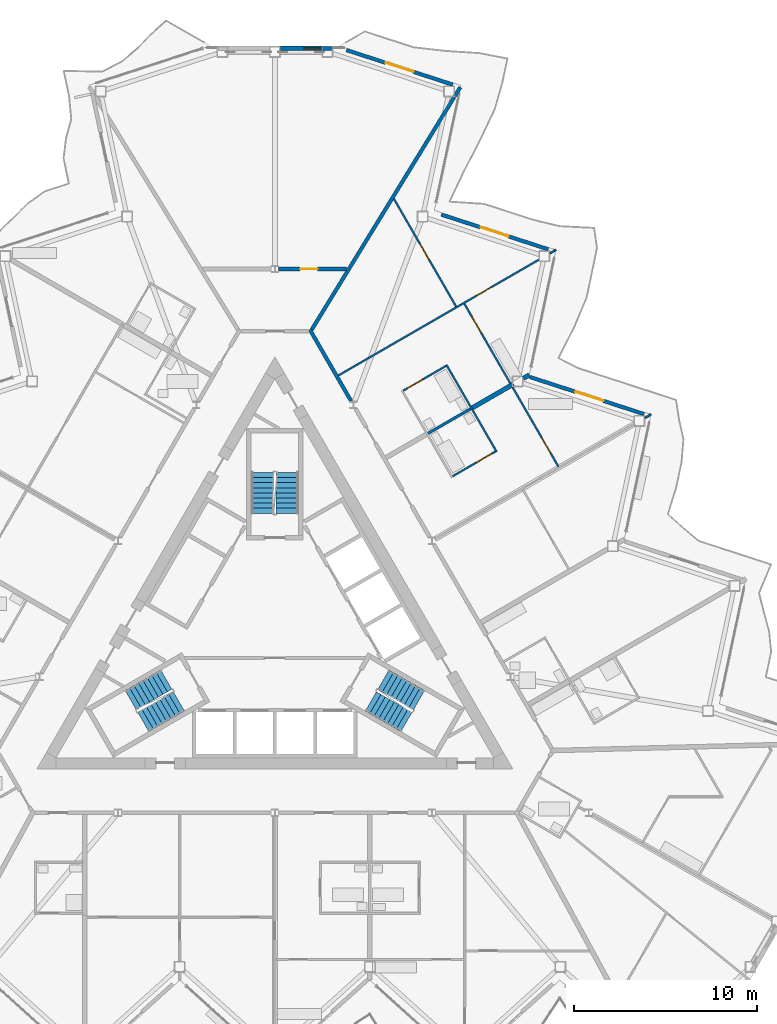
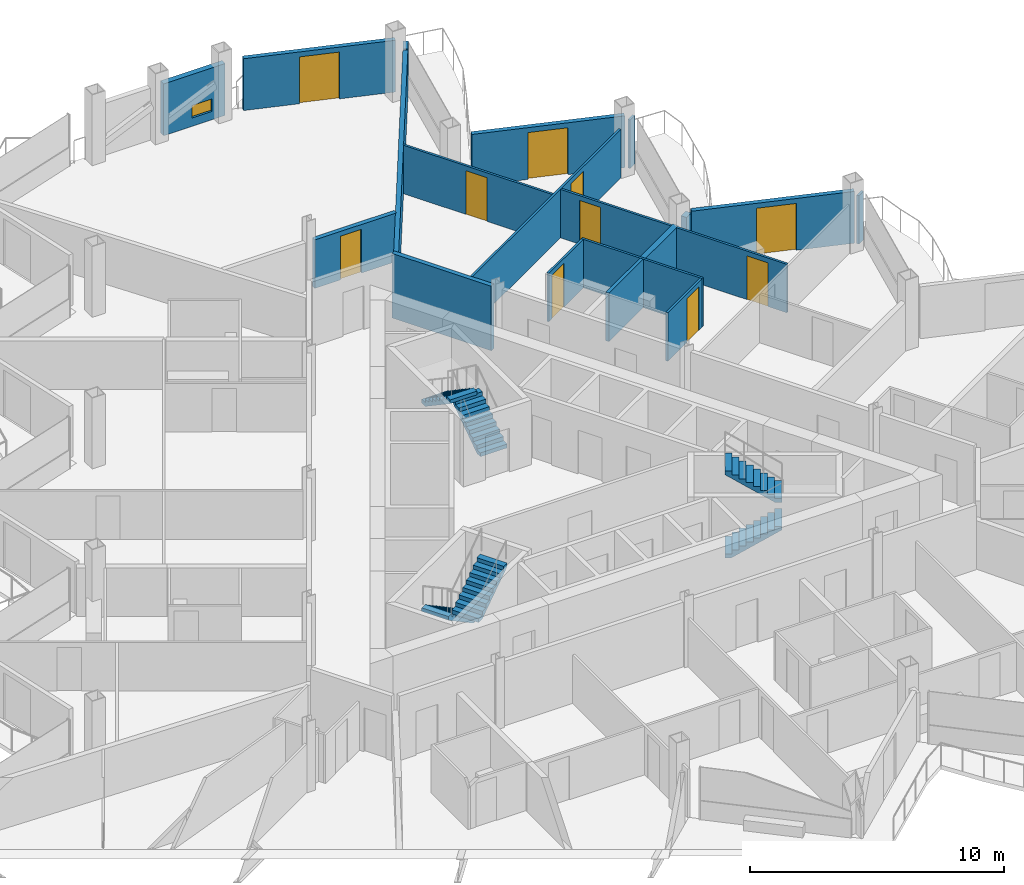
# One storey, part 19 of 28: 20 walls, 10 doors, 6 stair flights, 1 window, 11 openings, 3 elements without a shape of their own.
"""IFC4 building model written with IfcOpenShell, lengths in metres."""

from ifc_helpers import new_model, si_unit, direction, frame, frame_2d, origin, place, context, subcontext, project, spatial, polyline, rectangle, outline, extrude, material, layer, layer_set, type_object, element, fill, aggregate, save


model = new_model("IFC4")

# Units and contexts
model_context = context("Model", 3, precision=1e-05, world=origin(), true_north=direction((0.0, 1.0)))
body_context = subcontext(model_context, "Body", "Model", "MODEL_VIEW")
ifc_project = project(units=[si_unit("LENGTHUNIT", "METRE"), si_unit("AREAUNIT", "SQUARE_METRE"), si_unit("VOLUMEUNIT", "CUBIC_METRE"), si_unit("PLANEANGLEUNIT", "RADIAN"), si_unit("MASSUNIT", "GRAM", prefix="KILO")], contexts=[model_context])

# Site, building, storey
site_placement = place(None, origin())
site = spatial("IfcSite", under=ifc_project, at=site_placement, CompositionType="ELEMENT")
building_placement = place(site_placement, origin())
building = spatial("IfcBuilding", under=site, at=building_placement, Name="Cormorant Prow Tower", CompositionType="ELEMENT")
storey_placement = place(building_placement, frame((0.0, 0.0, 305.199951171875)))
storey = spatial("IfcBuildingStorey", under=building, at=storey_placement, Name="L66", CompositionType="ELEMENT", Elevation=305.199951171875)

# Walls
ifc_material_1 = material(Name="Gypsum board corridor wall")
ifc_layer_1 = layer(ifc_material_1, 0.199951171875)
ifc_layer_set_1 = layer_set([ifc_layer_1], Name="Gypsum board corridor wall")
wall_type_1 = type_object("IfcWallType", Name="Corridor wall 200", PredefinedType="PARTITIONING", material=ifc_layer_set_1)
wall_1_placement = place(storey_placement, frame((1.9130859375, 16.497802734375, 0.0), z_axis=(0.0, 0.0, 1.0), x_axis=(0.499950370306, -0.866054055606, 0.0)))
element("IfcWall", 1, at=wall_1_placement, inside=storey, type_object=wall_type_1, Name="Corridor wall", PredefinedType="PARTITIONING", context=body_context, shape_type="SweptSolid", body=[
    extrude(rectangle(XDim=4.5126953125, YDim=0.199951171875, at=frame_2d((2.25634765625, 0.0))), origin(), (0.0, 0.0, 1.0), 3.10009765625),
])
ifc_material_2 = material(Name="Gypsum board demising wall")
ifc_layer_2 = layer(ifc_material_2, 0.199951171875)
ifc_layer_set_2 = layer_set([ifc_layer_2], Name="Gypsum board demising wall")
wall_type_2 = type_object("IfcWallType", Name="Demising wall 200", PredefinedType="PARTITIONING", material=ifc_layer_set_2)
wall_2_placement = place(storey_placement, frame((2.015380859375, 16.496337890625, 0.0), z_axis=(0.0, 0.0, 1.0), x_axis=(0.522487920222, 0.852646687217, 0.0)))
element("IfcWall", 2, at=wall_2_placement, inside=storey, type_object=wall_type_2, Name="Demising wall", PredefinedType="PARTITIONING", context=body_context, shape_type="SweptSolid", body=[
    extrude(rectangle(XDim=14.90380859375, YDim=0.199951171875, at=frame_2d((7.451904296875, 0.0))), origin(), (0.0, 0.0, 1.0), 2.330078125),
])

# Wall, opening, door
wall_3_placement = place(storey_placement, frame((0.207763671875, 19.81103515625, 0.0), z_axis=(0.0, 0.0, 1.0), x_axis=(1.0, 0.0, 0.0)))
wall_3 = element("IfcWall", 3, at=wall_3_placement, inside=storey, type_object=wall_type_2, Name="Demising wall", PredefinedType="PARTITIONING", context=body_context, shape_type="SweptSolid", body=[
    extrude(rectangle(XDim=3.71826171875, YDim=0.199951171875, at=frame_2d((1.859130859375, 0.0))), origin(), (0.0, 0.0, 1.0), 2.330078125),
])
opening_1_placement = place(wall_3_placement, frame((1.177978515625, 0.0, 0.0)))
opening_1 = element("IfcOpeningElement", 4, at=opening_1_placement, cuts=wall_3, Name="Opening L66-F37", PredefinedType="OPENING", context=body_context, shape_type="SweptSolid", body=[
    extrude(rectangle(XDim=0.949951171875, YDim=2.10009765625, at=frame_2d((0.47509765625, 1.050048828125))), frame((0.0, 0.10986328125, 0.0), z_axis=(0.0, -1.0, 0.0), x_axis=(1.0, 0.0, 0.0)), (0.0, 0.0, 1.0), 0.219970703125),
])
ifc_material_3 = material(Name="Timber door leaf", Category="wood")
door_type_1 = type_object("IfcDoorType", Name="Store door 950x2100", OperationType="NOTDEFINED", PredefinedType="DOOR", material=ifc_material_3)
door_1_placement = place(opening_1_placement, origin())
door_1 = element("IfcDoor", 5, at=door_1_placement, inside=storey, type_object=door_type_1, Name="Refuse room door", OperationType="SINGLE_SWING_LEFT", OverallHeight=2.10009765625, OverallWidth=0.949951171875, PredefinedType="DOOR", context=body_context, shape_type="SweptSolid", body=[
    extrude(rectangle(XDim=0.949951171875, YDim=2.10009765625, at=frame_2d((0.47509765625, 1.050048828125))), frame((0.0, 0.02490234375, 0.0), z_axis=(0.0, -1.0, 0.0), x_axis=(1.0, 0.0, 0.0)), (0.0, 0.0, 1.0), 0.050048828125),
])
fill(opening_1, door_1)

# Wall
wall_4_placement = place(storey_placement, frame((9.83740234375, 29.261474609375, 0.0), z_axis=(0.0, 0.0, 1.0), x_axis=(0.5225115935, 0.852632180168, 0.0)))
element("IfcWall", 6, at=wall_4_placement, inside=storey, type_object=wall_type_2, Name="Demising wall", PredefinedType="PARTITIONING", context=body_context, shape_type="SweptSolid", body=[
    extrude(rectangle(XDim=0.567138671875, YDim=0.199951171875, at=frame_2d((0.28369140625, 0.0))), origin(), (0.0, 0.0, 1.0), 2.330078125),
])

# Wall, opening, door
ifc_material_4 = material(Name="Gypsum board partition")
ifc_layer_3 = layer(ifc_material_4, 0.10009765625)
ifc_layer_set_3 = layer_set([ifc_layer_3], Name="Gypsum board partition")
wall_type_3 = type_object("IfcWallType", Name="Internal partition 100", PredefinedType="PARTITIONING", material=ifc_layer_set_3)
wall_5_placement = place(storey_placement, frame((3.47412109375, 13.993896484375, 0.0), z_axis=(0.0, 0.0, 1.0), x_axis=(0.866032424046, 0.499987840353, 0.0)))
wall_5 = element("IfcWall", 7, at=wall_5_placement, inside=storey, type_object=wall_type_3, Name="Internal partition", PredefinedType="PARTITIONING", context=body_context, shape_type="SweptSolid", body=[
    extrude(rectangle(XDim=12.635009765625, YDim=0.10009765625, at=frame_2d((6.3173828125, 0.0))), origin(), (0.0, 0.0, 1.0), 2.330078125),
])
opening_2_placement = place(wall_5_placement, frame((8.71435546875, 0.0, 0.0)))
opening_2 = element("IfcOpeningElement", 8, at=opening_2_placement, cuts=wall_5, Name="Opening L66-F34", PredefinedType="OPENING", context=body_context, shape_type="SweptSolid", body=[
    extrude(rectangle(XDim=0.949951171875, YDim=2.10009765625, at=frame_2d((0.47509765625, 1.050048828125))), frame((0.0, 0.06005859375, 0.0), z_axis=(0.0, -1.0, 0.0), x_axis=(1.0, 0.0, 0.0)), (0.0, 0.0, 1.0), 0.1201171875),
])
ifc_material_5 = material(Name="Timber door leaf", Category="wood")
door_type_2 = type_object("IfcDoorType", Name="Bathroom door 950x2100", OperationType="NOTDEFINED", PredefinedType="DOOR", material=ifc_material_5)
door_2_placement = place(opening_2_placement, origin())
door_2 = element("IfcDoor", 9, at=door_2_placement, inside=storey, type_object=door_type_2, Name="Kitchen door", OperationType="SINGLE_SWING_LEFT", OverallHeight=2.10009765625, OverallWidth=0.949951171875, PredefinedType="DOOR", context=body_context, shape_type="SweptSolid", body=[
    extrude(rectangle(XDim=0.949951171875, YDim=2.10009765625, at=frame_2d((0.47509765625, 1.050048828125))), frame((0.0, 0.02490234375, 0.0), z_axis=(0.0, -1.0, 0.0), x_axis=(1.0, 0.0, 0.0)), (0.0, 0.0, 1.0), 0.050048828125),
])
fill(opening_2, door_2)

wall_6_placement = place(storey_placement, frame((6.5029296875, 23.651611328125, 0.0), z_axis=(0.0, 0.0, 1.0), x_axis=(0.50002393615, -0.866011583801, 0.0)))
wall_6 = element("IfcWall", 10, at=wall_6_placement, inside=storey, type_object=wall_type_3, Name="Internal partition", PredefinedType="PARTITIONING", context=body_context, shape_type="SweptSolid", body=[
    extrude(rectangle(XDim=6.799560546875, YDim=0.10009765625, at=frame_2d((3.39990234375, 0.0))), origin(), (0.0, 0.0, 1.0), 2.330078125),
])
opening_3_placement = place(wall_6_placement, frame((2.874267578125, 0.0, 0.0)))
opening_3 = element("IfcOpeningElement", 11, at=opening_3_placement, cuts=wall_6, Name="Opening L66-F35", PredefinedType="OPENING", context=body_context, shape_type="SweptSolid", body=[
    extrude(rectangle(XDim=0.949951171875, YDim=2.10009765625, at=frame_2d((0.47509765625, 1.050048828125))), frame((0.0, 0.06005859375, 0.0), z_axis=(0.0, -1.0, 0.0), x_axis=(1.0, 0.0, 0.0)), (0.0, 0.0, 1.0), 0.1201171875),
])
door_3_placement = place(opening_3_placement, origin())
door_3 = element("IfcDoor", 12, at=door_3_placement, inside=storey, type_object=door_type_2, Name="Bedroom door", OperationType="SINGLE_SWING_LEFT", OverallHeight=2.10009765625, OverallWidth=0.949951171875, PredefinedType="DOOR", context=body_context, shape_type="SweptSolid", body=[
    extrude(rectangle(XDim=0.949951171875, YDim=2.10009765625, at=frame_2d((0.47509765625, 1.050048828125))), frame((0.0, 0.02490234375, 0.0), z_axis=(0.0, -1.0, 0.0), x_axis=(1.0, 0.0, 0.0)), (0.0, 0.0, 1.0), 0.050048828125),
])
fill(opening_3, door_3)

# Wall
wall_7_placement = place(storey_placement, frame((9.37109375, 14.579833984375, 0.0), z_axis=(0.0, 0.0, 1.0), x_axis=(0.499996545922, -0.866027397988, 0.0)))
element("IfcWall", 13, at=wall_7_placement, inside=storey, type_object=wall_type_3, Name="Internal partition", PredefinedType="PARTITIONING", context=body_context, shape_type="SweptSolid", body=[
    extrude(rectangle(XDim=5.5, YDim=0.10009765625, at=frame_2d((2.75, 0.0))), origin(), (0.0, 0.0, 1.0), 2.330078125),
])

# Wall, opening, door
wall_8_placement = place(storey_placement, frame((10.35693359375, 17.909912109375, 0.0), z_axis=(0.0, 0.0, 1.0), x_axis=(0.50000754391, -0.866021048262, 0.0)))
wall_8 = element("IfcWall", 14, at=wall_8_placement, inside=storey, type_object=wall_type_3, Name="Internal partition", PredefinedType="PARTITIONING", context=body_context, shape_type="SweptSolid", body=[
    extrude(rectangle(XDim=5.01611328125, YDim=0.10009765625, at=frame_2d((2.508056640625, 0.0))), origin(), (0.0, 0.0, 1.0), 2.330078125),
])
opening_4_placement = place(wall_8_placement, frame((0.861328125, 0.0, 0.0)))
opening_4 = element("IfcOpeningElement", 15, at=opening_4_placement, cuts=wall_8, Name="Opening L66-F33", PredefinedType="OPENING", context=body_context, shape_type="SweptSolid", body=[
    extrude(rectangle(XDim=0.949951171875, YDim=2.10009765625, at=frame_2d((0.47509765625, 1.050048828125))), frame((0.0, 0.06005859375, 0.0), z_axis=(0.0, -1.0, 0.0), x_axis=(1.0, 0.0, 0.0)), (0.0, 0.0, 1.0), 0.1201171875),
])
door_4_placement = place(opening_4_placement, origin())
door_4 = element("IfcDoor", 16, at=door_4_placement, inside=storey, type_object=door_type_2, Name="Living room door", OperationType="SINGLE_SWING_LEFT", OverallHeight=2.10009765625, OverallWidth=0.949951171875, PredefinedType="DOOR", context=body_context, shape_type="SweptSolid", body=[
    extrude(rectangle(XDim=0.949951171875, YDim=2.10009765625, at=frame_2d((0.47509765625, 1.050048828125))), frame((0.0, 0.02490234375, 0.0), z_axis=(0.0, -1.0, 0.0), x_axis=(1.0, 0.0, 0.0)), (0.0, 0.0, 1.0), 0.050048828125),
])
fill(opening_4, door_4)

wall_9_placement = place(storey_placement, frame((12.986083984375, 13.35595703125, 0.0), z_axis=(0.0, 0.0, 1.0), x_axis=(0.500007128048, -0.866021288365, 0.0)))
wall_9 = element("IfcWall", 17, at=wall_9_placement, inside=storey, type_object=wall_type_3, Name="Internal partition", PredefinedType="PARTITIONING", context=body_context, shape_type="SweptSolid", body=[
    extrude(rectangle(XDim=5.0234375, YDim=0.10009765625, at=frame_2d((2.51171875, 0.0))), origin(), (0.0, 0.0, 1.0), 2.330078125),
])
opening_5_placement = place(wall_9_placement, frame((3.2109375, 0.0, 0.0)))
opening_5 = element("IfcOpeningElement", 18, at=opening_5_placement, cuts=wall_9, Name="Opening L66-F28", PredefinedType="OPENING", context=body_context, shape_type="SweptSolid", body=[
    extrude(rectangle(XDim=0.949951171875, YDim=2.10009765625, at=frame_2d((0.47509765625, 1.050048828125))), frame((0.0, 0.06005859375, 0.0), z_axis=(0.0, -1.0, 0.0), x_axis=(1.0, 0.0, 0.0)), (0.0, 0.0, 1.0), 0.1201171875),
])
door_5_placement = place(opening_5_placement, origin())
door_5 = element("IfcDoor", 19, at=door_5_placement, inside=storey, type_object=door_type_2, Name="Living room door", OperationType="SINGLE_SWING_RIGHT", OverallHeight=2.10009765625, OverallWidth=0.949951171875, PredefinedType="DOOR", context=body_context, shape_type="SweptSolid", body=[
    extrude(rectangle(XDim=0.949951171875, YDim=2.10009765625, at=frame_2d((0.47509765625, 1.050048828125))), frame((0.0, 0.02490234375, 0.0), z_axis=(0.0, -1.0, 0.0), x_axis=(1.0, 0.0, 0.0)), (0.0, 0.0, 1.0), 0.050048828125),
])
fill(opening_5, door_5)

wall_10_placement = place(storey_placement, frame((7.0146484375, 13.16162109375, 0.0), z_axis=(0.0, 0.0, 1.0), x_axis=(0.866036505625, 0.499980770555, 0.0)))
wall_10 = element("IfcWall", 20, at=wall_10_placement, inside=storey, type_object=wall_type_3, Name="Internal partition", PredefinedType="PARTITIONING", context=body_context, shape_type="SweptSolid", body=[
    extrude(rectangle(XDim=2.69970703125, YDim=0.10009765625, at=frame_2d((1.349853515625, 0.0))), origin(), (0.0, 0.0, 1.0), 2.330078125),
])
opening_6_placement = place(wall_10_placement, frame((0.25, 0.0, 0.0)))
opening_6 = element("IfcOpeningElement", 21, at=opening_6_placement, cuts=wall_10, Name="Opening L66-F32", PredefinedType="OPENING", context=body_context, shape_type="SweptSolid", body=[
    extrude(rectangle(XDim=0.949951171875, YDim=2.10009765625, at=frame_2d((0.47509765625, 1.050048828125))), frame((0.0, 0.06005859375, 0.0), z_axis=(0.0, -1.0, 0.0), x_axis=(1.0, 0.0, 0.0)), (0.0, 0.0, 1.0), 0.1201171875),
])
door_6_placement = place(opening_6_placement, origin())
door_6 = element("IfcDoor", 22, at=door_6_placement, inside=storey, type_object=door_type_2, Name="Living room door", OperationType="SINGLE_SWING_LEFT", OverallHeight=2.10009765625, OverallWidth=0.949951171875, PredefinedType="DOOR", context=body_context, shape_type="SweptSolid", body=[
    extrude(rectangle(XDim=0.949951171875, YDim=2.10009765625, at=frame_2d((0.47509765625, 1.050048828125))), frame((0.0, 0.02490234375, 0.0), z_axis=(0.0, -1.0, 0.0), x_axis=(1.0, 0.0, 0.0)), (0.0, 0.0, 1.0), 0.050048828125),
])
fill(opening_6, door_6)

wall_11_placement = place(storey_placement, frame((9.714599609375, 8.485107421875, 0.0), z_axis=(0.0, 0.0, 1.0), x_axis=(0.866036505625, 0.499980770555, 0.0)))
wall_11 = element("IfcWall", 23, at=wall_11_placement, inside=storey, type_object=wall_type_3, Name="Internal partition", PredefinedType="PARTITIONING", context=body_context, shape_type="SweptSolid", body=[
    extrude(rectangle(XDim=2.69970703125, YDim=0.10009765625, at=frame_2d((1.349853515625, 0.0))), origin(), (0.0, 0.0, 1.0), 2.330078125),
])
opening_7_placement = place(wall_11_placement, frame((1.5, 0.0, 0.0)))
opening_7 = element("IfcOpeningElement", 24, at=opening_7_placement, cuts=wall_11, Name="Opening L66-F27", PredefinedType="OPENING", context=body_context, shape_type="SweptSolid", body=[
    extrude(rectangle(XDim=0.949951171875, YDim=2.10009765625, at=frame_2d((0.47509765625, 1.050048828125))), frame((0.0, 0.06005859375, 0.0), z_axis=(0.0, -1.0, 0.0), x_axis=(1.0, 0.0, 0.0)), (0.0, 0.0, 1.0), 0.1201171875),
])
door_7_placement = place(opening_7_placement, origin())
door_7 = element("IfcDoor", 25, at=door_7_placement, inside=storey, type_object=door_type_2, Name="Living room door", OperationType="SINGLE_SWING_RIGHT", OverallHeight=2.10009765625, OverallWidth=0.949951171875, PredefinedType="DOOR", context=body_context, shape_type="SweptSolid", body=[
    extrude(rectangle(XDim=0.949951171875, YDim=2.10009765625, at=frame_2d((0.47509765625, 1.050048828125))), frame((0.0, 0.02490234375, 0.0), z_axis=(0.0, -1.0, 0.0), x_axis=(1.0, 0.0, 0.0)), (0.0, 0.0, 1.0), 0.050048828125),
])
fill(opening_7, door_7)

# Walls
wall_12_placement = place(storey_placement, frame((15.03662109375, 20.669189453125, 0.0), z_axis=(0.0, 0.0, 1.0), x_axis=(0.865770353626, 0.500441499861, 0.0)))
element("IfcWall", 26, at=wall_12_placement, inside=storey, type_object=wall_type_3, Name="Internal partition", PredefinedType="PARTITIONING", context=body_context, shape_type="SweptSolid", body=[
    extrude(rectangle(XDim=0.372314453125, YDim=0.10009765625, at=frame_2d((0.18603515625, 0.0))), origin(), (0.0, 0.0, 1.0), 2.330078125),
])
wall_13_placement = place(storey_placement, frame((20.235595703125, 11.68310546875, 0.0), z_axis=(0.0, 0.0, 1.0), x_axis=(0.866039913117, 0.499974868256, 0.0)))
element("IfcWall", 27, at=wall_13_placement, inside=storey, type_object=wall_type_3, Name="Internal partition", PredefinedType="PARTITIONING", context=body_context, shape_type="SweptSolid", body=[
    extrude(rectangle(XDim=0.36279296875, YDim=0.10009765625, at=frame_2d((0.181396484375, 0.0))), origin(), (0.0, 0.0, 1.0), 2.330078125),
])
ifc_material_6 = material(Name="Acoustic gypsum party wall")
ifc_layer_4 = layer(ifc_material_6, 0.25)
ifc_layer_set_4 = layer_set([ifc_layer_4], Name="Acoustic gypsum party wall")
wall_type_4 = type_object("IfcWallType", Name="Suite party wall 250", PredefinedType="PARTITIONING", material=ifc_layer_set_4)
wall_14_placement = place(storey_placement, frame((10.789306640625, 12.223388671875, 0.0), z_axis=(0.0, 0.0, 1.0), x_axis=(0.866033547976, 0.499985893582, 0.0)))
element("IfcWall", 28, at=wall_14_placement, inside=storey, type_object=wall_type_4, Name="Suite party wall", PredefinedType="PARTITIONING", context=body_context, shape_type="SweptSolid", body=[
    extrude(rectangle(XDim=2.59375, YDim=0.25, at=frame_2d((1.296875, 0.0))), origin(), (0.0, 0.0, 1.0), 2.330078125),
])
wall_15_placement = place(storey_placement, frame((13.58203125, 13.83544921875, 0.0), z_axis=(0.0, 0.0, 1.0), x_axis=(0.865827443207, 0.500342721131, 0.0)))
element("IfcWall", 29, at=wall_15_placement, inside=storey, type_object=wall_type_4, Name="Suite party wall", PredefinedType="PARTITIONING", context=body_context, shape_type="SweptSolid", body=[
    extrude(rectangle(XDim=0.374755859375, YDim=0.25, at=frame_2d((0.1875, 0.0))), origin(), (0.0, 0.0, 1.0), 2.330078125),
])

# Wall, opening, window
ifc_material_7 = material(Name="Terracotta", Category="masonry")
ifc_layer_5 = layer(ifc_material_7, 0.25)
ifc_layer_set_5 = layer_set([ifc_layer_5], Name="Terracotta")
wall_type_5 = type_object("IfcWallType", Name="Terracotta bay wall 250", PredefinedType="SOLIDWALL", material=ifc_layer_set_5)
wall_16_placement = place(storey_placement, frame((3.0908203125, 31.8798828125, 0.0), z_axis=(0.0, 0.0, 1.0), x_axis=(-1.0, 0.0, 0.0)))
wall_16 = element("IfcWall", 30, at=wall_16_placement, inside=storey, type_object=wall_type_5, Name="Terracotta bay wall N00", PredefinedType="SOLIDWALL", context=body_context, shape_type="SweptSolid", body=[
    extrude(rectangle(XDim=2.790771484375, YDim=0.25, at=frame_2d((1.3955078125, 0.0))), origin(), (0.0, 0.0, 1.0), 2.488037109375),
])
opening_8_placement = place(wall_16_placement, frame((0.60009765625, 0.0, 0.39990234375)))
opening_8 = element("IfcOpeningElement", 31, at=opening_8_placement, cuts=wall_16, Name="Opening WN7", PredefinedType="OPENING", context=body_context, shape_type="SweptSolid", body=[
    extrude(rectangle(XDim=0.89990234375, YDim=0.60009765625, at=frame_2d((0.449951171875, 0.300048828125))), frame((0.0, 0.135009765625, 0.0), z_axis=(0.0, -1.0, 0.0), x_axis=(1.0, 0.0, 0.0)), (0.0, 0.0, 1.0), 0.27001953125),
])
ifc_material_8 = material(Name="Aluminium 6063-T6", Category="aluminium")
window_type = type_object("IfcWindowType", Name="Corner bay window 900x600", PartitioningType="SINGLE_PANEL", PredefinedType="WINDOW", material=ifc_material_8)
window_placement = place(opening_8_placement, origin())
window = element("IfcWindow", 32, at=window_placement, inside=storey, type_object=window_type, Name="Corner bay window N00", OverallHeight=0.60009765625, OverallWidth=0.89990234375, PartitioningType="SINGLE_PANEL", PredefinedType="WINDOW", context=body_context, shape_type="SweptSolid", body=[
    extrude(rectangle(XDim=0.89990234375, YDim=0.60009765625, at=frame_2d((0.449951171875, 0.300048828125))), frame((0.0, 0.030029296875, 0.0), z_axis=(0.0, -1.0, 0.0), x_axis=(1.0, 0.0, 0.0)), (0.0, 0.0, 1.0), 0.06005859375),
])
fill(opening_8, window)

# Wall, opening, door
ifc_material_9 = material(Name="Terracotta", Category="masonry")
ifc_layer_6 = layer(ifc_material_9, 0.199951171875)
ifc_layer_set_6 = layer_set([ifc_layer_6], Name="Terracotta")
wall_type_6 = type_object("IfcWallType", Name="Terracotta jamb wall 200", PredefinedType="SOLIDWALL", material=ifc_layer_set_6)
wall_17_placement = place(storey_placement, frame((20.177978515625, 11.880126953125, 0.0), z_axis=(0.0, 0.0, 1.0), x_axis=(-0.951053245104, 0.309027061884, 0.0)))
wall_17 = element("IfcWall", 33, at=wall_17_placement, inside=storey, type_object=wall_type_6, Name="Terracotta jamb wall ENE05", PredefinedType="SOLIDWALL", context=body_context, shape_type="SweptSolid", body=[
    extrude(rectangle(XDim=6.548583984375, YDim=0.199951171875, at=frame_2d((3.2744140625, 0.0))), origin(), (0.0, 0.0, 1.0), 2.488037109375),
])
opening_9_placement = place(wall_17_placement, frame((2.333984375, 0.0, 0.0)))
opening_9 = element("IfcOpeningElement", 34, at=opening_9_placement, cuts=wall_17, Name="Opening ED66.08", PredefinedType="OPENING", context=body_context, shape_type="SweptSolid", body=[
    extrude(rectangle(XDim=1.60009765625, YDim=2.25, at=frame_2d((0.800048828125, 1.125))), frame((0.0, 0.10986328125, 0.0), z_axis=(0.0, -1.0, 0.0), x_axis=(1.0, 0.0, 0.0)), (0.0, 0.0, 1.0), 0.219970703125),
])
ifc_material_10 = material(Name="Aluminium 6063-T6", Category="aluminium")
door_type_3 = type_object("IfcDoorType", Name="Balcony door 1600x2250", OperationType="DOUBLE_DOOR_SINGLE_SWING", PredefinedType="DOOR", material=ifc_material_10)
door_8_placement = place(opening_9_placement, origin())
door_8 = element("IfcDoor", 35, at=door_8_placement, inside=storey, type_object=door_type_3, Name="Balcony door ENE05 ED66.08", OperationType="DOUBLE_DOOR_SINGLE_SWING", OverallHeight=2.25, OverallWidth=1.60009765625, PredefinedType="DOOR", context=body_context, shape_type="SweptSolid", body=[
    extrude(rectangle(XDim=1.60009765625, YDim=2.25, at=frame_2d((0.800048828125, 1.125))), frame((0.0, 0.02490234375, 0.0), z_axis=(0.0, -1.0, 0.0), x_axis=(1.0, 0.0, 0.0)), (0.0, 0.0, 1.0), 0.050048828125),
])
fill(opening_9, door_8)

wall_18_placement = place(storey_placement, frame((14.943603515625, 20.88525390625, 0.0), z_axis=(0.0, 0.0, 1.0), x_axis=(-0.951062668065, 0.308998060534, 0.0)))
wall_18 = element("IfcWall", 36, at=wall_18_placement, inside=storey, type_object=wall_type_6, Name="Terracotta jamb wall ENE07", PredefinedType="SOLIDWALL", context=body_context, shape_type="SweptSolid", body=[
    extrude(rectangle(XDim=6.14697265625, YDim=0.199951171875, at=frame_2d((3.073486328125, 0.0))), origin(), (0.0, 0.0, 1.0), 2.488037109375),
])
opening_10_placement = place(wall_18_placement, frame((2.288330078125, 0.0, 0.0)))
opening_10 = element("IfcOpeningElement", 37, at=opening_10_placement, cuts=wall_18, Name="Opening ED66.09", PredefinedType="OPENING", context=body_context, shape_type="SweptSolid", body=[
    extrude(rectangle(XDim=1.60009765625, YDim=2.25, at=frame_2d((0.800048828125, 1.125))), frame((0.0, 0.10986328125, 0.0), z_axis=(0.0, -1.0, 0.0), x_axis=(1.0, 0.0, 0.0)), (0.0, 0.0, 1.0), 0.219970703125),
])
door_9_placement = place(opening_10_placement, origin())
door_9 = element("IfcDoor", 38, at=door_9_placement, inside=storey, type_object=door_type_3, Name="Balcony door ENE07 ED66.09", OperationType="DOUBLE_DOOR_SINGLE_SWING", OverallHeight=2.25, OverallWidth=1.60009765625, PredefinedType="DOOR", context=body_context, shape_type="SweptSolid", body=[
    extrude(rectangle(XDim=1.60009765625, YDim=2.25, at=frame_2d((0.800048828125, 1.125))), frame((0.0, 0.02490234375, 0.0), z_axis=(0.0, -1.0, 0.0), x_axis=(1.0, 0.0, 0.0)), (0.0, 0.0, 1.0), 0.050048828125),
])
fill(opening_10, door_9)

wall_19_placement = place(storey_placement, frame((9.724365234375, 29.885498046875, 0.0), z_axis=(0.0, 0.0, 1.0), x_axis=(-0.951066325824, 0.30898680212, 0.0)))
wall_19 = element("IfcWall", 39, at=wall_19_placement, inside=storey, type_object=wall_type_6, Name="Terracotta jamb wall ENE09", PredefinedType="SOLIDWALL", context=body_context, shape_type="SweptSolid", body=[
    extrude(rectangle(XDim=6.1171875, YDim=0.199951171875, at=frame_2d((3.05859375, 0.0))), origin(), (0.0, 0.0, 1.0), 2.488037109375),
])
opening_11_placement = place(wall_19_placement, frame((2.258544921875, 0.0, 0.0)))
opening_11 = element("IfcOpeningElement", 40, at=opening_11_placement, cuts=wall_19, Name="Opening ED66.10", PredefinedType="OPENING", context=body_context, shape_type="SweptSolid", body=[
    extrude(rectangle(XDim=1.60009765625, YDim=2.25, at=frame_2d((0.800048828125, 1.125))), frame((0.0, 0.10986328125, 0.0), z_axis=(0.0, -1.0, 0.0), x_axis=(1.0, 0.0, 0.0)), (0.0, 0.0, 1.0), 0.219970703125),
])
door_10_placement = place(opening_11_placement, origin())
door_10 = element("IfcDoor", 41, at=door_10_placement, inside=storey, type_object=door_type_3, Name="Balcony door ENE09 ED66.10", OperationType="DOUBLE_DOOR_SINGLE_SWING", OverallHeight=2.25, OverallWidth=1.60009765625, PredefinedType="DOOR", context=body_context, shape_type="SweptSolid", body=[
    extrude(rectangle(XDim=1.60009765625, YDim=2.25, at=frame_2d((0.800048828125, 1.125))), frame((0.0, 0.02490234375, 0.0), z_axis=(0.0, -1.0, 0.0), x_axis=(1.0, 0.0, 0.0)), (0.0, 0.0, 1.0), 0.050048828125),
])
fill(opening_11, door_10)

# Wall
ifc_material_11 = material(Name="Plasterboard wet wall with pipe chase")
ifc_layer_7 = layer(ifc_material_11, 0.14990234375)
ifc_layer_set_7 = layer_set([ifc_layer_7], Name="Plasterboard wet wall with pipe chase")
wall_type_7 = type_object("IfcWallType", Name="Wet wall 150", PredefinedType="PLUMBINGWALL", material=ifc_layer_set_7)
wall_20_placement = place(storey_placement, frame((8.364501953125, 10.8232421875, 0.0), z_axis=(0.0, 0.0, 1.0), x_axis=(0.866019956843, 0.50000943426, 0.0)))
element("IfcWall", 42, at=wall_20_placement, inside=storey, type_object=wall_type_7, Name="Wet wall", PredefinedType="PLUMBINGWALL", context=body_context, shape_type="SweptSolid", body=[
    extrude(rectangle(XDim=2.7001953125, YDim=0.14990234375, at=frame_2d((1.35009765625, 0.0))), origin(), (0.0, 0.0, 1.0), 2.330078125),
])

# Stair, stair flights
ifc_material_12 = material(Name="Exit stair 18 risers")
stair_type = type_object("IfcStairType", Name="Exit stair 18 risers", PredefinedType="HALF_TURN_STAIR", material=ifc_material_12)
stair_1_placement = place(storey_placement, origin())
stair_1 = element("IfcStair", 43, at=stair_1_placement, inside=storey, type_object=stair_type, Name="L66 Exit stair ST1", PredefinedType="HALF_TURN_STAIR")
ifc_material_13 = material(Name="Concrete 5000 psi", Category="concrete")
stair_flight_type = type_object("IfcStairFlightType", Name="Stair flight 1219", PredefinedType="STRAIGHT", material=ifc_material_13)
stair_flight_1_placement = place(storey_placement, frame((-5.93310546875, -2.635009765625, 0.0), z_axis=(0.0, 0.0, 1.0), x_axis=(-0.866025403784, -0.5, 0.0)))
stair_flight_1 = element("IfcStairFlight", 44, at=stair_flight_1_placement, type_object=stair_flight_type, Name="ST1 flight 1", NumberOfRisers=9, NumberOfTreads=8, PredefinedType="STRAIGHT", RiserHeight=0.188888889, TreadLength=0.28, context=body_context, shape_type="SweptSolid", body=[
    extrude(outline(polyline([(0.0, 0.0), (0.0, 0.18896484375), (0.280029296875, 0.18896484375), (0.280029296875, 0.377685546875), (0.56005859375, 0.377685546875), (0.56005859375, 0.566650390625), (0.840087890625, 0.566650390625), (0.840087890625, 0.755615234375), (1.1201171875, 0.755615234375), (1.1201171875, 0.9443359375), (1.39990234375, 0.9443359375), (1.39990234375, 1.13330078125), (1.679931640625, 1.13330078125), (1.679931640625, 1.322265625), (1.9599609375, 1.322265625), (1.9599609375, 1.51123046875), (2.239990234375, 1.51123046875), (2.239990234375, 1.699951171875), (2.239990234375, 1.330322265625), (0.26806640625, 0.0), (0.0, 0.0)])), frame((0.0, 0.609375, 0.0), z_axis=(0.0, -1.0, 0.0), x_axis=(1.0, 0.0, 0.0)), (0.0, 0.0, 1.0), 1.218994140625),
])
stair_flight_2_placement = place(storey_placement, frame((-7.1884765625, -4.940673828125, 1.699951171875), z_axis=(0.0, 0.0, 1.0), x_axis=(0.866025403784, 0.5, 0.0)))
stair_flight_2 = element("IfcStairFlight", 45, at=stair_flight_2_placement, type_object=stair_flight_type, Name="ST1 flight 2", NumberOfRisers=9, NumberOfTreads=8, PredefinedType="STRAIGHT", RiserHeight=0.188888889, TreadLength=0.28, context=body_context, shape_type="SweptSolid", body=[
    extrude(outline(polyline([(0.0, 0.0), (0.0, 0.18896484375), (0.280029296875, 0.18896484375), (0.280029296875, 0.377685546875), (0.56005859375, 0.377685546875), (0.56005859375, 0.566650390625), (0.840087890625, 0.566650390625), (0.840087890625, 0.755615234375), (1.1201171875, 0.755615234375), (1.1201171875, 0.9443359375), (1.39990234375, 0.9443359375), (1.39990234375, 1.13330078125), (1.679931640625, 1.13330078125), (1.679931640625, 1.322265625), (1.9599609375, 1.322265625), (1.9599609375, 1.51123046875), (2.239990234375, 1.51123046875), (2.239990234375, 1.699951171875), (2.239990234375, 1.330322265625), (0.26806640625, 0.0), (0.0, 0.0)])), frame((0.0, 0.609375, 0.0), z_axis=(0.0, -1.0, 0.0), x_axis=(1.0, 0.0, 0.0)), (0.0, 0.0, 1.0), 1.218994140625),
])
aggregate(stair_1, [stair_flight_1, stair_flight_2])

stair_2_placement = place(storey_placement, origin())
stair_2 = element("IfcStair", 46, at=stair_2_placement, inside=storey, type_object=stair_type, Name="L66 Exit stair ST2", PredefinedType="HALF_TURN_STAIR")
stair_flight_3_placement = place(storey_placement, frame((5.24853515625, -3.82080078125, 0.0), z_axis=(0.0, 0.0, 1.0), x_axis=(0.866025403784, -0.5, 0.0)))
stair_flight_3 = element("IfcStairFlight", 47, at=stair_flight_3_placement, type_object=stair_flight_type, Name="ST2 flight 1", NumberOfRisers=9, NumberOfTreads=8, PredefinedType="STRAIGHT", RiserHeight=0.188888889, TreadLength=0.28, context=body_context, shape_type="SweptSolid", body=[
    extrude(outline(polyline([(0.0, 0.0), (0.0, 0.18896484375), (0.280029296875, 0.18896484375), (0.280029296875, 0.377685546875), (0.56005859375, 0.377685546875), (0.56005859375, 0.566650390625), (0.840087890625, 0.566650390625), (0.840087890625, 0.755615234375), (1.1201171875, 0.755615234375), (1.1201171875, 0.9443359375), (1.39990234375, 0.9443359375), (1.39990234375, 1.13330078125), (1.679931640625, 1.13330078125), (1.679931640625, 1.322265625), (1.9599609375, 1.322265625), (1.9599609375, 1.51123046875), (2.239990234375, 1.51123046875), (2.239990234375, 1.699951171875), (2.239990234375, 1.330322265625), (0.26806640625, 0.0), (0.0, 0.0)])), frame((0.0, 0.609375, 0.0), z_axis=(0.0, -1.0, 0.0), x_axis=(1.0, 0.0, 0.0)), (0.0, 0.0, 1.0), 1.218994140625),
])
stair_flight_4_placement = place(storey_placement, frame((7.873046875, -3.755126953125, 1.699951171875), z_axis=(0.0, 0.0, 1.0), x_axis=(-0.866025403784, 0.5, 0.0)))
stair_flight_4 = element("IfcStairFlight", 48, at=stair_flight_4_placement, type_object=stair_flight_type, Name="ST2 flight 2", NumberOfRisers=9, NumberOfTreads=8, PredefinedType="STRAIGHT", RiserHeight=0.188888889, TreadLength=0.28, context=body_context, shape_type="SweptSolid", body=[
    extrude(outline(polyline([(0.0, 0.0), (0.0, 0.18896484375), (0.280029296875, 0.18896484375), (0.280029296875, 0.377685546875), (0.56005859375, 0.377685546875), (0.56005859375, 0.566650390625), (0.840087890625, 0.566650390625), (0.840087890625, 0.755615234375), (1.1201171875, 0.755615234375), (1.1201171875, 0.9443359375), (1.39990234375, 0.9443359375), (1.39990234375, 1.13330078125), (1.679931640625, 1.13330078125), (1.679931640625, 1.322265625), (1.9599609375, 1.322265625), (1.9599609375, 1.51123046875), (2.239990234375, 1.51123046875), (2.239990234375, 1.699951171875), (2.239990234375, 1.330322265625), (0.26806640625, 0.0), (0.0, 0.0)])), frame((0.0, 0.609375, 0.0), z_axis=(0.0, -1.0, 0.0), x_axis=(1.0, 0.0, 0.0)), (0.0, 0.0, 1.0), 1.218994140625),
])
aggregate(stair_2, [stair_flight_3, stair_flight_4])

stair_3_placement = place(storey_placement, origin())
stair_3 = element("IfcStair", 49, at=stair_3_placement, inside=storey, type_object=stair_type, Name="L66 Exit stair ST3", PredefinedType="HALF_TURN_STAIR")
stair_flight_5_placement = place(storey_placement, frame((0.6845703125, 6.455810546875, 0.0), z_axis=(0.0, 0.0, 1.0), x_axis=(0.0, 1.0, 0.0)))
stair_flight_5 = element("IfcStairFlight", 50, at=stair_flight_5_placement, type_object=stair_flight_type, Name="ST3 flight 1", NumberOfRisers=9, NumberOfTreads=8, PredefinedType="STRAIGHT", RiserHeight=0.188888889, TreadLength=0.28, context=body_context, shape_type="SweptSolid", body=[
    extrude(outline(polyline([(0.0, 0.0), (0.0, 0.18896484375), (0.280029296875, 0.18896484375), (0.280029296875, 0.377685546875), (0.56005859375, 0.377685546875), (0.56005859375, 0.566650390625), (0.840087890625, 0.566650390625), (0.840087890625, 0.755615234375), (1.1201171875, 0.755615234375), (1.1201171875, 0.9443359375), (1.39990234375, 0.9443359375), (1.39990234375, 1.13330078125), (1.679931640625, 1.13330078125), (1.679931640625, 1.322265625), (1.9599609375, 1.322265625), (1.9599609375, 1.51123046875), (2.239990234375, 1.51123046875), (2.239990234375, 1.699951171875), (2.239990234375, 1.330322265625), (0.26806640625, 0.0), (0.0, 0.0)])), frame((0.0, 0.609375, 0.0), z_axis=(0.0, -1.0, 0.0), x_axis=(1.0, 0.0, 0.0)), (0.0, 0.0, 1.0), 1.218994140625),
])
stair_flight_6_placement = place(storey_placement, frame((-0.6845703125, 8.69580078125, 1.699951171875), z_axis=(0.0, 0.0, 1.0), x_axis=(0.0, -1.0, 0.0)))
stair_flight_6 = element("IfcStairFlight", 51, at=stair_flight_6_placement, type_object=stair_flight_type, Name="ST3 flight 2", NumberOfRisers=9, NumberOfTreads=8, PredefinedType="STRAIGHT", RiserHeight=0.188888889, TreadLength=0.28, context=body_context, shape_type="SweptSolid", body=[
    extrude(outline(polyline([(0.0, 0.0), (0.0, 0.18896484375), (0.280029296875, 0.18896484375), (0.280029296875, 0.377685546875), (0.56005859375, 0.377685546875), (0.56005859375, 0.566650390625), (0.840087890625, 0.566650390625), (0.840087890625, 0.755615234375), (1.1201171875, 0.755615234375), (1.1201171875, 0.9443359375), (1.39990234375, 0.9443359375), (1.39990234375, 1.13330078125), (1.679931640625, 1.13330078125), (1.679931640625, 1.322265625), (1.9599609375, 1.322265625), (1.9599609375, 1.51123046875), (2.239990234375, 1.51123046875), (2.239990234375, 1.699951171875), (2.239990234375, 1.330322265625), (0.26806640625, 0.0), (0.0, 0.0)])), frame((0.0, 0.609375, 0.0), z_axis=(0.0, -1.0, 0.0), x_axis=(1.0, 0.0, 0.0)), (0.0, 0.0, 1.0), 1.218994140625),
])
aggregate(stair_3, [stair_flight_5, stair_flight_6])

save(model, "model.ifc")
